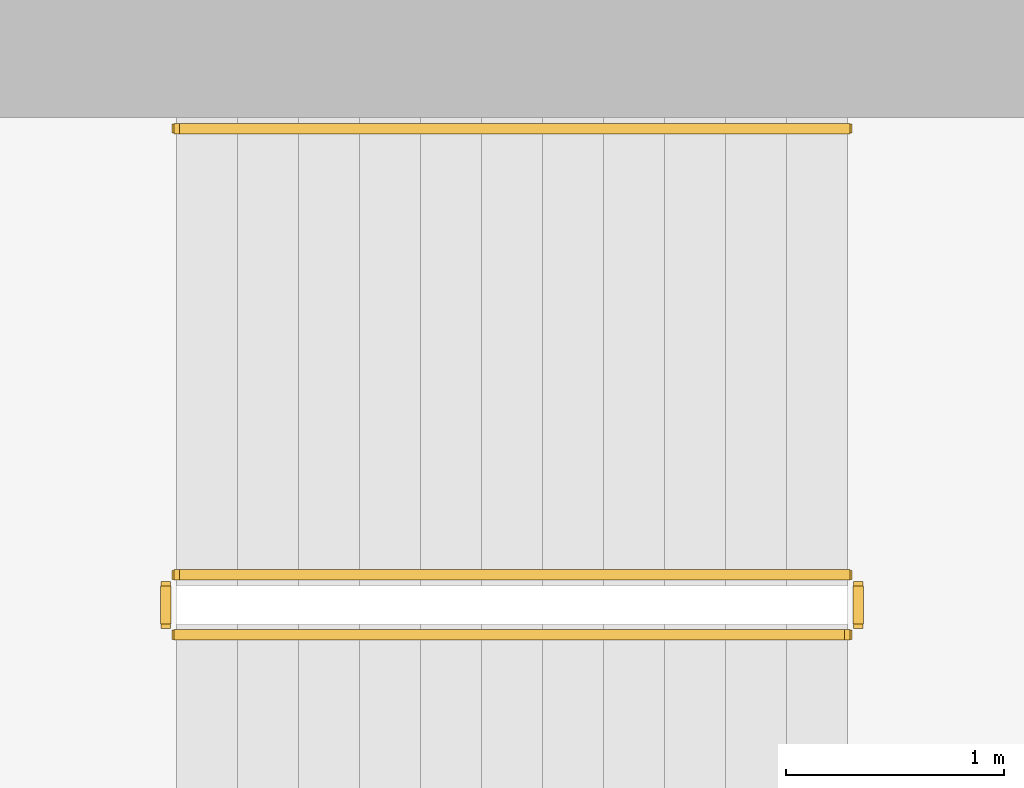
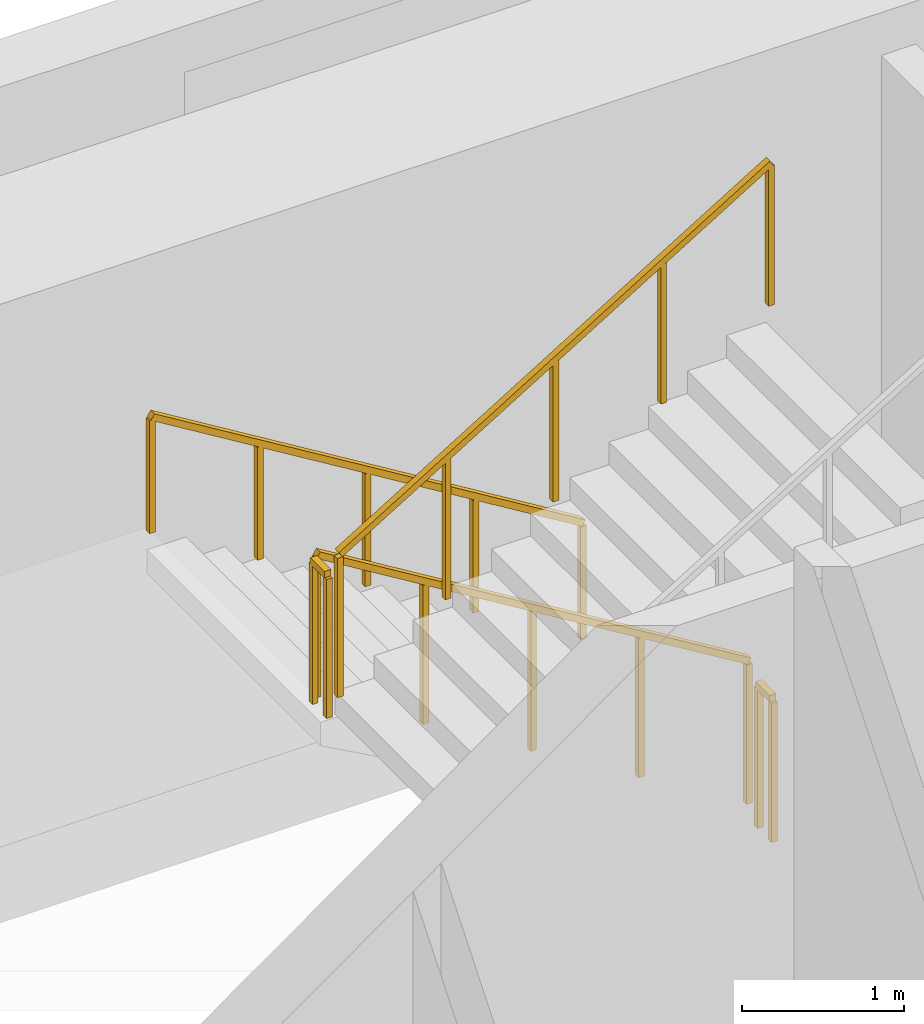
# One storey, part 14 of 15: 5 railings.
"""IFC4 building model written with IfcOpenShell, lengths in metres."""

from ifc_helpers import new_model, si_unit, direction, frame, origin, origin_2d, place, context, subcontext, project, spatial, rectangle, extrude, material, type_object, element, save


model = new_model("IFC4")

# Units and contexts
model_context = context("Model", 3, precision=1e-05, world=origin(), true_north=direction((0.0, 1.0)))
body_context = subcontext(model_context, "Body", "Model", "MODEL_VIEW")
ifc_project = project(units=[si_unit("LENGTHUNIT", "METRE"), si_unit("AREAUNIT", "SQUARE_METRE"), si_unit("VOLUMEUNIT", "CUBIC_METRE"), si_unit("PLANEANGLEUNIT", "RADIAN"), si_unit("MASSUNIT", "GRAM", prefix="KILO")], contexts=[model_context])

# Site, building, storey
site_placement = place(None, origin())
site = spatial("IfcSite", under=ifc_project, at=site_placement, CompositionType="ELEMENT")
building_placement = place(site_placement, origin())
building = spatial("IfcBuilding", under=site, at=building_placement, Name="Cypress Arch Tower", CompositionType="ELEMENT")
storey_placement = place(building_placement, frame((0.0, 0.0, 243.39990234375)))
storey = spatial("IfcBuildingStorey", under=building, at=storey_placement, Name="L54", CompositionType="ELEMENT", Elevation=243.39990234375)

# Railings
ifc_material_1 = material(Name="Black powder-coated steel square bar 48 mm", Category="steel")
railing_type_1 = type_object("IfcRailingType", Name="Stair handrail HR1", PredefinedType="HANDRAIL", material=ifc_material_1)
railing_1_placement = place(storey_placement, frame((-22.27490234375, 14.75, 0.1708984375)))
element("IfcRailing", 1, at=railing_1_placement, inside=storey, type_object=railing_type_1, Name="L54 B stair handrail 1", PredefinedType="HANDRAIL", context=body_context, shape_type="SweptSolid", body=[
    extrude(rectangle(XDim=0.048095703125, YDim=0.048095703125, at=origin_2d()), frame((0.0, 0.0, 0.8759765625), z_axis=(-0.853666305674, 0.0, 0.52082035152), x_axis=(0.0, -1.0, 0.0)), (0.0, 0.0, 1.0), 3.608154296875),
    extrude(rectangle(XDim=0.0419921875, YDim=0.0419921875, at=origin_2d()), origin(), (0.0, 0.0, 1.0), 0.851806640625),
    extrude(rectangle(XDim=0.0419921875, YDim=0.0419921875, at=origin_2d()), frame((-0.77001953125, 0.0, 0.4697265625)), (0.0, 0.0, 1.0), 0.851806640625),
    extrude(rectangle(XDim=0.0419921875, YDim=0.0419921875, at=origin_2d()), frame((-1.5400390625, 0.0, 0.939453125)), (0.0, 0.0, 1.0), 0.851806640625),
    extrude(rectangle(XDim=0.0419921875, YDim=0.0419921875, at=origin_2d()), frame((-2.31005859375, 0.0, 1.409423828125)), (0.0, 0.0, 1.0), 0.851806640625),
    extrude(rectangle(XDim=0.0419921875, YDim=0.0419921875, at=origin_2d()), frame((-3.080078125, 0.0, 1.879150390625)), (0.0, 0.0, 1.0), 0.851806640625),
])
ifc_material_2 = material(Name="Black powder-coated steel balusters", Category="steel")
railing_type_2 = type_object("IfcRailingType", Name="Stair well guard G1", PredefinedType="GUARDRAIL", material=ifc_material_2)
railing_2_placement = place(storey_placement, frame((-22.27490234375, 12.699951171875, 0.1708984375)))
element("IfcRailing", 2, at=railing_2_placement, inside=storey, type_object=railing_type_2, Name="L54 B stair guard 1", PredefinedType="GUARDRAIL", context=body_context, shape_type="SweptSolid", body=[
    extrude(rectangle(XDim=0.048095703125, YDim=0.048095703125, at=origin_2d()), frame((0.0, 0.0, 1.076171875), z_axis=(-0.853666305674, 0.0, 0.52082035152), x_axis=(0.0, -1.0, 0.0)), (0.0, 0.0, 1.0), 3.608154296875),
    extrude(rectangle(XDim=0.0419921875, YDim=0.0419921875, at=origin_2d()), origin(), (0.0, 0.0, 1.0), 1.052001953125),
    extrude(rectangle(XDim=0.0419921875, YDim=0.0419921875, at=origin_2d()), frame((-0.77001953125, 0.0, 0.4697265625)), (0.0, 0.0, 1.0), 1.052001953125),
    extrude(rectangle(XDim=0.0419921875, YDim=0.0419921875, at=origin_2d()), frame((-1.5400390625, 0.0, 0.939453125)), (0.0, 0.0, 1.0), 1.052001953125),
    extrude(rectangle(XDim=0.0419921875, YDim=0.0419921875, at=origin_2d()), frame((-2.31005859375, 0.0, 1.409423828125)), (0.0, 0.0, 1.0), 1.052001953125),
    extrude(rectangle(XDim=0.0419921875, YDim=0.0419921875, at=origin_2d()), frame((-3.080078125, 0.0, 1.879150390625)), (0.0, 0.0, 1.0), 1.052001953125),
])
railing_3_placement = place(storey_placement, frame((-25.405029296875, 12.64990234375, 2.050048828125)))
element("IfcRailing", 3, at=railing_3_placement, inside=storey, type_object=railing_type_2, Name="L54 B stair guard 2", PredefinedType="GUARDRAIL", context=body_context, shape_type="SweptSolid", body=[
    extrude(rectangle(XDim=0.048095703125, YDim=0.048095703125, at=origin_2d()), frame((0.0, 0.0, 1.076171875), z_axis=(0.0, -1.0, 0.0), x_axis=(1.0, 0.0, 0.0)), (0.0, 0.0, 1.0), 0.1748046875),
    extrude(rectangle(XDim=0.0419921875, YDim=0.0419921875, at=origin_2d()), origin(), (0.0, 0.0, 1.0), 1.052001953125),
    extrude(rectangle(XDim=0.0419921875, YDim=0.0419921875, at=origin_2d()), frame((0.0, -0.1748046875, 0.0)), (0.0, 0.0, 1.0), 1.052001953125),
])
railing_4_placement = place(storey_placement, frame((-25.35498046875, 12.425048828125, 2.220947265625)))
element("IfcRailing", 4, at=railing_4_placement, inside=storey, type_object=railing_type_2, Name="L54 B stair guard 3", PredefinedType="GUARDRAIL", context=body_context, shape_type="SweptSolid", body=[
    extrude(rectangle(XDim=0.048095703125, YDim=0.048095703125, at=origin_2d()), frame((0.0, 0.0, 1.076171875), z_axis=(0.853666305674, 0.0, 0.52082035152), x_axis=(0.0, 1.0, 0.0)), (0.0, 0.0, 1.0), 3.608154296875),
    extrude(rectangle(XDim=0.0419921875, YDim=0.0419921875, at=origin_2d()), origin(), (0.0, 0.0, 1.0), 1.052001953125),
    extrude(rectangle(XDim=0.0419921875, YDim=0.0419921875, at=origin_2d()), frame((0.77001953125, 0.0, 0.4697265625)), (0.0, 0.0, 1.0), 1.052001953125),
    extrude(rectangle(XDim=0.0419921875, YDim=0.0419921875, at=origin_2d()), frame((1.5400390625, 0.0, 0.939453125)), (0.0, 0.0, 1.0), 1.052001953125),
    extrude(rectangle(XDim=0.0419921875, YDim=0.0419921875, at=origin_2d()), frame((2.31005859375, 0.0, 1.409423828125)), (0.0, 0.0, 1.0), 1.052001953125),
    extrude(rectangle(XDim=0.0419921875, YDim=0.0419921875, at=origin_2d()), frame((3.080078125, 0.0, 1.879150390625)), (0.0, 0.0, 1.0), 1.052001953125),
])
railing_5_placement = place(storey_placement, frame((-22.22509765625, 12.64990234375, 0.0)))
element("IfcRailing", 5, at=railing_5_placement, inside=storey, type_object=railing_type_2, Name="L54 B stair guard 4", PredefinedType="GUARDRAIL", context=body_context, shape_type="SweptSolid", body=[
    extrude(rectangle(XDim=0.048095703125, YDim=0.048095703125, at=origin_2d()), frame((0.0, 0.0, 1.076171875), z_axis=(0.0, -1.0, 0.0), x_axis=(1.0, 0.0, 0.0)), (0.0, 0.0, 1.0), 0.1748046875),
    extrude(rectangle(XDim=0.0419921875, YDim=0.0419921875, at=origin_2d()), origin(), (0.0, 0.0, 1.0), 1.052001953125),
    extrude(rectangle(XDim=0.0419921875, YDim=0.0419921875, at=origin_2d()), frame((0.0, -0.1748046875, 0.0)), (0.0, 0.0, 1.0), 1.052001953125),
])

save(model, "model.ifc")
